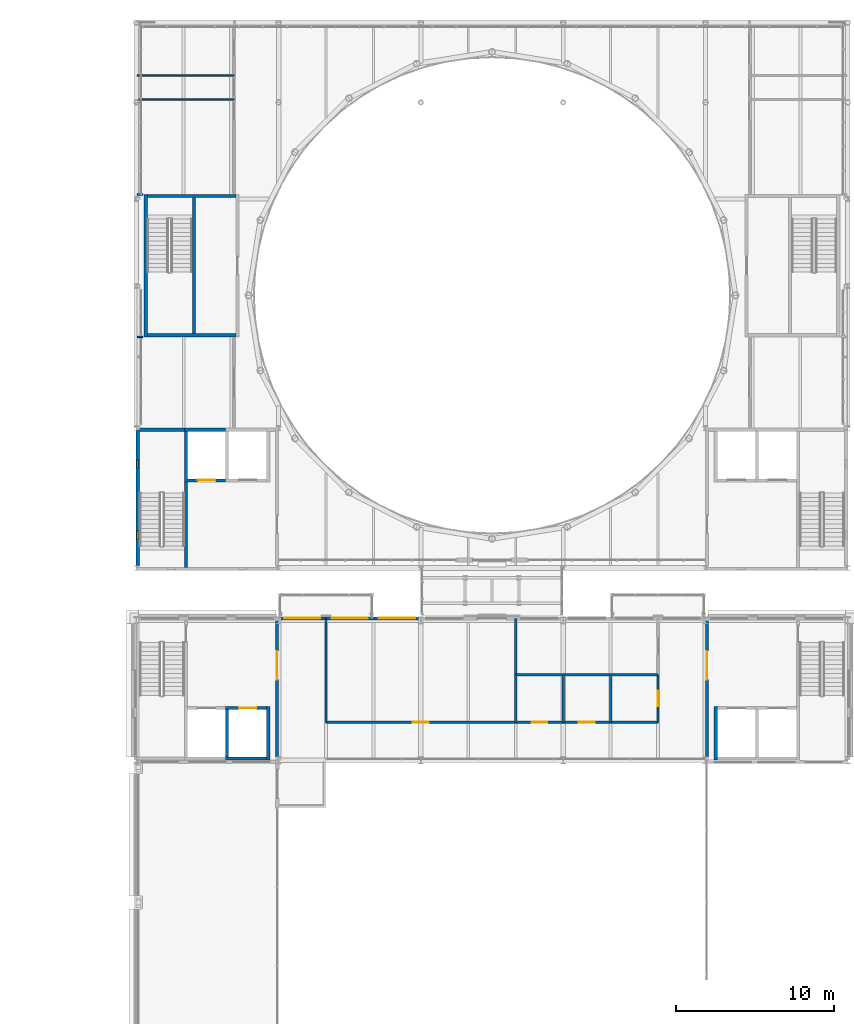
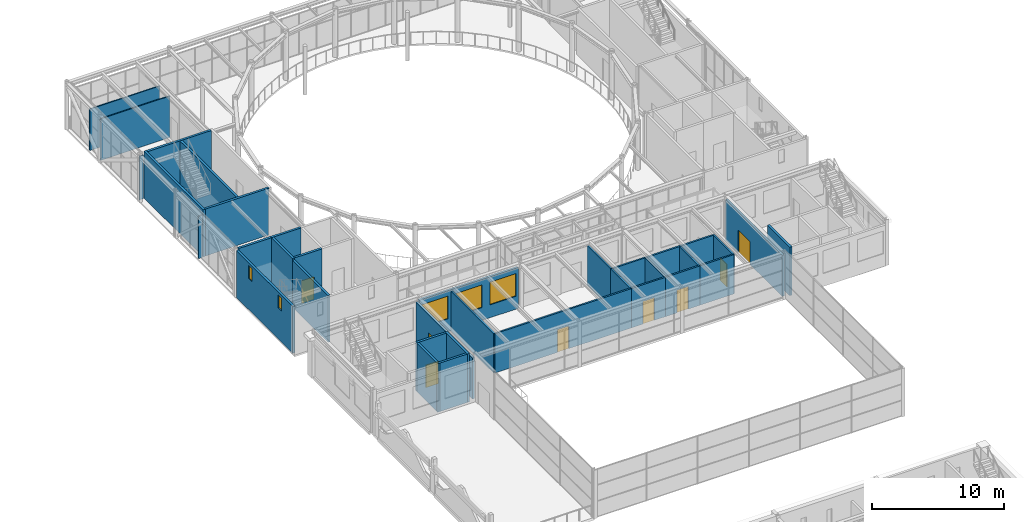
# One storey, part 52 of 70: 35 walls, 8 doors, 5 windows, 13 openings.
"""IFC4 building model written with IfcOpenShell, lengths in metres."""

from ifc_helpers import new_model, si_unit, direction, frame, frame_2d, origin, place, context, subcontext, project, spatial, rectangle, extrude, material, layer, layer_set, type_object, element, fill, save


model = new_model("IFC4")

# Units and contexts
model_context = context("Model", 3, precision=1e-05, world=origin(), true_north=direction((0.0, 1.0)))
body_context = subcontext(model_context, "Body", "Model", "MODEL_VIEW")
ifc_project = project(units=[si_unit("LENGTHUNIT", "METRE"), si_unit("AREAUNIT", "SQUARE_METRE"), si_unit("VOLUMEUNIT", "CUBIC_METRE"), si_unit("PLANEANGLEUNIT", "RADIAN"), si_unit("MASSUNIT", "GRAM", prefix="KILO")], contexts=[model_context])

# Site, building, storey
site_placement = place(None, origin())
site = spatial("IfcSite", under=ifc_project, at=site_placement, CompositionType="ELEMENT")
building_placement = place(site_placement, origin())
building = spatial("IfcBuilding", under=site, at=building_placement, Name="Kallimachos Central Library", CompositionType="ELEMENT")
storey_placement = place(building_placement, frame((0.0, 0.0, 18.89990234375)))
storey = spatial("IfcBuildingStorey", under=building, at=storey_placement, Name="L04", CompositionType="ELEMENT", Elevation=18.89990234375)

# Walls
ifc_material_1 = material(Name="Concrete C30/37", Category="concrete")
ifc_layer_1 = layer(ifc_material_1, 0.199951171875)
ifc_layer_set_1 = layer_set([ifc_layer_1], Name="Core wall 200")
wall_type_1 = type_object("IfcWallType", Name="Core wall 200", PredefinedType="SOLIDWALL", material=ifc_layer_set_1)
wall_1_placement = place(storey_placement, frame((65.699951171875, 95.89990234375, 0.0), z_axis=(0.0, 0.0, 1.0), x_axis=(1.0, 0.0, 0.0)))
element("IfcWall", 1, at=wall_1_placement, inside=storey, type_object=wall_type_1, Name="Core wall V1-SW N", PredefinedType="SOLIDWALL", context=body_context, shape_type="SweptSolid", body=[
    extrude(rectangle(XDim=2.85009765625, YDim=0.199951171875, at=frame_2d((1.425048828125, 0.0))), origin(), (0.0, 0.0, 1.0), 4.5),
])
wall_2_placement = place(storey_placement, frame((68.64990234375, 87.199951171875, 0.0), z_axis=(0.0, 0.0, 1.0), x_axis=(0.0, 1.0, 0.0)))
element("IfcWall", 2, at=wall_2_placement, inside=storey, type_object=wall_type_1, Name="Stair wall V1-SW", PredefinedType="SOLIDWALL", context=body_context, shape_type="SweptSolid", body=[
    extrude(rectangle(XDim=5.400146484375, YDim=0.199951171875, at=frame_2d((2.7001953125, 0.0))), origin(), (0.0, 0.0, 1.0), 4.35009765625),
])
wall_3_placement = place(storey_placement, frame((66.10009765625, 101.77490234375, 0.0), z_axis=(0.0, 0.0, 1.0), x_axis=(0.0, 1.0, 0.0)))
element("IfcWall", 3, at=wall_3_placement, inside=storey, type_object=wall_type_1, Name="Core wall V1-NW W", PredefinedType="SOLIDWALL", context=body_context, shape_type="SweptSolid", body=[
    extrude(rectangle(XDim=9.0, YDim=0.199951171875, at=frame_2d((4.5, 0.0))), origin(), (0.0, 0.0, 1.0), 4.35009765625),
])
for number, where, z_axis, x_axis, name in (
    (4, (66.199951171875, 101.875, 0.0), (0.0, 0.0, 1.0), (1.0, 0.0, 0.0), "Core wall V1-NW S"),
    (5, (66.199951171875, 110.675048828125, 0.0), (0.0, 0.0, 1.0), (1.0, 0.0, 0.0), "Core wall V1-NW N"),
):
    element("IfcWall", number, at=place(storey_placement, frame(where, z_axis=z_axis, x_axis=x_axis)), inside=storey, type_object=wall_type_1, Name=name, PredefinedType="SOLIDWALL", context=body_context, shape_type="SweptSolid", body=[
        extrude(rectangle(XDim=5.60009765625, YDim=0.199951171875, at=frame_2d((2.800048828125, 0.0))), origin(), (0.0, 0.0, 1.0), 4.35009765625),
    ])
wall_4_placement = place(storey_placement, frame((69.14990234375, 101.97509765625, 0.0), z_axis=(0.0, 0.0, 1.0), x_axis=(0.0, 1.0, 0.0)))
element("IfcWall", 6, at=wall_4_placement, inside=storey, type_object=wall_type_1, Name="Stair wall V1-NW", PredefinedType="SOLIDWALL", context=body_context, shape_type="SweptSolid", body=[
    extrude(rectangle(XDim=8.599853515625, YDim=0.199951171875, at=frame_2d((4.2998046875, 0.0))), origin(), (0.0, 0.0, 1.0), 4.35009765625),
])
ifc_material_2 = material(Name="Concrete C30/37", Category="concrete")
ifc_layer_2 = layer(ifc_material_2, 0.199951171875)
ifc_layer_set_2 = layer_set([ifc_layer_2], Name="Lift shaft wall 200")
wall_type_2 = type_object("IfcWallType", Name="Lift shaft wall 200", PredefinedType="SOLIDWALL", material=ifc_layer_set_2)
wall_5_placement = place(storey_placement, frame((71.25, 75.0, 0.0), z_axis=(0.0, 0.0, 1.0), x_axis=(0.0, 1.0, 0.0)))
element("IfcWall", 7, at=wall_5_placement, inside=storey, type_object=wall_type_2, Name="V4-WAL-L04-004", PredefinedType="SOLIDWALL", context=body_context, shape_type="SweptSolid", body=[
    extrude(rectangle(XDim=3.39990234375, YDim=0.199951171875, at=frame_2d((1.699951171875, 0.0))), origin(), (0.0, 0.0, 1.0), 4.5),
])

# Wall, opening, door
wall_6_placement = place(storey_placement, frame((71.14990234375, 78.300048828125, 0.0), z_axis=(0.0, 0.0, 1.0), x_axis=(1.0, 0.0, 0.0)))
wall_6 = element("IfcWall", 8, at=wall_6_placement, inside=storey, type_object=wall_type_2, Name="V4-WAL-L04-005", PredefinedType="SOLIDWALL", context=body_context, shape_type="SweptSolid", body=[
    extrude(rectangle(XDim=2.60009765625, YDim=0.199951171875, at=frame_2d((1.300048828125, 0.0))), origin(), (0.0, 0.0, 1.0), 4.5),
])
opening_1_placement = place(wall_6_placement, frame((0.85009765625, 0.0, 0.0)))
opening_1 = element("IfcOpeningElement", 9, at=opening_1_placement, cuts=wall_6, Name="Opening LD1100", PredefinedType="OPENING", context=body_context, shape_type="SweptSolid", body=[
    extrude(rectangle(XDim=1.10009765625, YDim=2.10009765625, at=frame_2d((0.550048828125, 1.050048828125))), frame((0.0, 0.10986328125, 0.0), z_axis=(0.0, -1.0, 0.0), x_axis=(1.0, 0.0, 0.0)), (0.0, 0.0, 1.0), 0.219970703125),
])
ifc_material_3 = material(Name="Stainless steel", Category="steel")
door_type_1 = type_object("IfcDoorType", Name="Lift landing door 1100 x 2100", OperationType="SLIDING_TO_LEFT", PredefinedType="DOOR", material=ifc_material_3)
door_1_placement = place(opening_1_placement, origin())
door_1 = element("IfcDoor", 10, at=door_1_placement, inside=storey, type_object=door_type_1, Name="LF8 landing door L04", OperationType="SLIDING_TO_LEFT", OverallHeight=2.10009765625, OverallWidth=1.10009765625, PredefinedType="DOOR", context=body_context, shape_type="SweptSolid", body=[
    extrude(rectangle(XDim=1.10009765625, YDim=2.10009765625, at=frame_2d((0.550048828125, 1.050048828125))), frame((0.0, 0.02490234375, 0.0), z_axis=(0.0, -1.0, 0.0), x_axis=(1.0, 0.0, 0.0)), (0.0, 0.0, 1.0), 0.050048828125),
])
fill(opening_1, door_1)

# Walls
wall_7_placement = place(storey_placement, frame((71.14990234375, 75.10009765625, 0.0), z_axis=(0.0, 0.0, 1.0), x_axis=(1.0, 0.0, 0.0)))
element("IfcWall", 11, at=wall_7_placement, inside=storey, type_object=wall_type_2, Name="V4-WAL-L04-006", PredefinedType="SOLIDWALL", context=body_context, shape_type="SweptSolid", body=[
    extrude(rectangle(XDim=2.60009765625, YDim=0.199951171875, at=frame_2d((1.300048828125, 0.0))), origin(), (0.0, 0.0, 1.0), 4.5),
])
for number, where, z_axis, x_axis, name in (
    (12, (73.85009765625, 75.0, 0.0), (0.0, 0.0, 1.0), (0.0, 1.0, 0.0), "V4-WAL-L04-007"),
    (13, (102.14990234375, 75.0, 0.0), (0.0, 0.0, 1.0), (0.0, 1.0, 0.0), "V4-WAL-L04-014"),
):
    element("IfcWall", number, at=place(storey_placement, frame(where, z_axis=z_axis, x_axis=x_axis)), inside=storey, type_object=wall_type_2, Name=name, PredefinedType="SOLIDWALL", context=body_context, shape_type="SweptSolid", body=[
        extrude(rectangle(XDim=3.39990234375, YDim=0.199951171875, at=frame_2d((1.699951171875, 0.0))), origin(), (0.0, 0.0, 1.0), 4.5),
    ])
wall_8_placement = place(storey_placement, frame((68.550048828125, 95.89990234375, 0.0), z_axis=(0.0, 0.0, 1.0), x_axis=(1.0, 0.0, 0.0)))
element("IfcWall", 14, at=wall_8_placement, inside=storey, type_object=wall_type_2, Name="V1-WAL-L04-001", PredefinedType="SOLIDWALL", context=body_context, shape_type="SweptSolid", body=[
    extrude(rectangle(XDim=2.599853515625, YDim=0.199951171875, at=frame_2d((1.2998046875, 0.0))), origin(), (0.0, 0.0, 1.0), 4.5),
])

# Wall, opening, door
wall_9_placement = place(storey_placement, frame((68.75, 92.699951171875, 0.0), z_axis=(0.0, 0.0, 1.0), x_axis=(1.0, 0.0, 0.0)))
wall_9 = element("IfcWall", 15, at=wall_9_placement, inside=storey, type_object=wall_type_2, Name="V1-WAL-L04-002", PredefinedType="SOLIDWALL", context=body_context, shape_type="SweptSolid", body=[
    extrude(rectangle(XDim=2.39990234375, YDim=0.199951171875, at=frame_2d((1.199951171875, 0.0))), origin(), (0.0, 0.0, 1.0), 4.5),
])
opening_2_placement = place(wall_9_placement, frame((0.64990234375, 0.0, 0.0)))
opening_2 = element("IfcOpeningElement", 16, at=opening_2_placement, cuts=wall_9, Name="Opening LD1100", PredefinedType="OPENING", context=body_context, shape_type="SweptSolid", body=[
    extrude(rectangle(XDim=1.10009765625, YDim=2.10009765625, at=frame_2d((0.550048828125, 1.050048828125))), frame((0.0, 0.10986328125, 0.0), z_axis=(0.0, -1.0, 0.0), x_axis=(1.0, 0.0, 0.0)), (0.0, 0.0, 1.0), 0.219970703125),
])
door_2_placement = place(opening_2_placement, origin())
door_2 = element("IfcDoor", 17, at=door_2_placement, inside=storey, type_object=door_type_1, Name="LF1 landing door L04", OperationType="SLIDING_TO_LEFT", OverallHeight=2.10009765625, OverallWidth=1.10009765625, PredefinedType="DOOR", context=body_context, shape_type="SweptSolid", body=[
    extrude(rectangle(XDim=1.10009765625, YDim=2.10009765625, at=frame_2d((0.550048828125, 1.050048828125))), frame((0.0, 0.02490234375, 0.0), z_axis=(0.0, -1.0, 0.0), x_axis=(1.0, 0.0, 0.0)), (0.0, 0.0, 1.0), 0.050048828125),
])
fill(opening_2, door_2)

# Walls
wall_10_placement = place(storey_placement, frame((68.64990234375, 92.60009765625, 0.0), z_axis=(0.0, 0.0, 1.0), x_axis=(0.0, 1.0, 0.0)))
element("IfcWall", 18, at=wall_10_placement, inside=storey, type_object=wall_type_2, Name="V1-WAL-L04-003", PredefinedType="SOLIDWALL", context=body_context, shape_type="SweptSolid", body=[
    extrude(rectangle(XDim=3.39990234375, YDim=0.199951171875, at=frame_2d((1.699951171875, 0.0))), origin(), (0.0, 0.0, 1.0), 4.5),
])
ifc_material_4 = material(Name="Plasterboard on steel studs", Category="steel")
ifc_layer_3 = layer(ifc_material_4, 0.10009765625)
ifc_layer_set_3 = layer_set([ifc_layer_3], Name="Partition 100")
wall_type_3 = type_object("IfcWallType", Name="Partition 100", PredefinedType="PARTITIONING", material=ifc_layer_set_3)
wall_11_placement = place(storey_placement, frame((65.580078125, 101.77490234375, 0.0), z_axis=(0.0, 0.0, 1.0), x_axis=(1.0, 0.0, 0.0)))
element("IfcWall", 19, at=wall_11_placement, inside=storey, type_object=wall_type_3, Name="Partition", PredefinedType="PARTITIONING", context=body_context, shape_type="SweptSolid", body=[
    extrude(rectangle(XDim=0.33984375, YDim=0.10009765625, at=frame_2d((0.169921875, 0.0))), origin(), (0.0, 0.0, 1.0), 3.91015625),
])
wall_12_placement = place(storey_placement, frame((65.661865234375, 116.780517578125, 0.0), z_axis=(0.0, 0.0, 1.0), x_axis=(1.0, 0.0, 0.0)))
element("IfcWall", 20, at=wall_12_placement, inside=storey, type_object=wall_type_3, Name="Partition", PredefinedType="PARTITIONING", context=body_context, shape_type="SweptSolid", body=[
    extrude(rectangle(XDim=6.05810546875, YDim=0.10009765625, at=frame_2d((3.029052734375, 0.0))), origin(), (0.0, 0.0, 1.0), 3.85009765625),
])
wall_13_placement = place(storey_placement, frame((65.919921875, 110.77490234375, 0.0), z_axis=(0.0, 0.0, 1.0), x_axis=(-1.0, 0.0, 0.0)))
element("IfcWall", 21, at=wall_13_placement, inside=storey, type_object=wall_type_3, Name="Partition", PredefinedType="PARTITIONING", context=body_context, shape_type="SweptSolid", body=[
    extrude(rectangle(XDim=0.33984375, YDim=0.10009765625, at=frame_2d((0.169921875, 0.0))), origin(), (0.0, 0.0, 1.0), 4.0400390625),
])
wall_14_placement = place(storey_placement, frame((65.580078125, 118.313720703125, 0.0), z_axis=(0.0, 0.0, 1.0), x_axis=(1.0, 0.0, 0.0)))
element("IfcWall", 22, at=wall_14_placement, inside=storey, type_object=wall_type_3, Name="Partition", PredefinedType="PARTITIONING", context=body_context, shape_type="SweptSolid", body=[
    extrude(rectangle(XDim=6.139892578125, YDim=0.10009765625, at=frame_2d((3.06982421875, 0.0))), origin(), (0.0, 0.0, 1.0), 3.85009765625),
])
ifc_material_5 = material(Name="Gypsum board on steel studs", Category="steel")
ifc_layer_4 = layer(ifc_material_5, 0.14990234375)
ifc_layer_set_4 = layer_set([ifc_layer_4], Name="Partition wall 150")
wall_type_4 = type_object("IfcWallType", Name="Partition wall 150", PredefinedType="PARTITIONING", material=ifc_layer_set_4)
wall_15_placement = place(storey_placement, frame((89.5, 77.39990234375, 0.0), z_axis=(0.0, 0.0, 1.0), x_axis=(0.0, 1.0, 0.0)))
element("IfcWall", 23, at=wall_15_placement, inside=storey, type_object=wall_type_4, Name="L04 partition", PredefinedType="PARTITIONING", context=body_context, shape_type="SweptSolid", body=[
    extrude(rectangle(XDim=3.0, YDim=0.14990234375, at=frame_2d((1.5, 0.0))), origin(), (0.0, 0.0, 1.0), 3.650146484375),
])
wall_16_placement = place(storey_placement, frame((89.5, 80.39990234375, 0.0), z_axis=(0.0, 0.0, 1.0), x_axis=(0.0, 1.0, 0.0)))
element("IfcWall", 24, at=wall_16_placement, inside=storey, type_object=wall_type_4, Name="L04 partition", PredefinedType="PARTITIONING", context=body_context, shape_type="SweptSolid", body=[
    extrude(rectangle(XDim=3.550048828125, YDim=0.14990234375, at=frame_2d((1.77490234375, 0.0))), origin(), (0.0, 0.0, 1.0), 3.650146484375),
])
wall_17_placement = place(storey_placement, frame((77.5, 77.39990234375, 0.0), z_axis=(0.0, 0.0, 1.0), x_axis=(0.0, 1.0, 0.0)))
element("IfcWall", 25, at=wall_17_placement, inside=storey, type_object=wall_type_4, Name="L04 partition", PredefinedType="PARTITIONING", context=body_context, shape_type="SweptSolid", body=[
    extrude(rectangle(XDim=6.550048828125, YDim=0.14990234375, at=frame_2d((3.27490234375, 0.0))), origin(), (0.0, 0.0, 1.0), 3.650146484375),
])

# Wall, opening, door
wall_18_placement = place(storey_placement, frame((77.5, 77.39990234375, 0.0), z_axis=(0.0, 0.0, 1.0), x_axis=(1.0, 0.0, 0.0)))
wall_18 = element("IfcWall", 26, at=wall_18_placement, inside=storey, type_object=wall_type_4, Name="L04 partition", PredefinedType="PARTITIONING", context=body_context, shape_type="SweptSolid", body=[
    extrude(rectangle(XDim=12.0, YDim=0.14990234375, at=frame_2d((6.0, 0.0))), origin(), (0.0, 0.0, 1.0), 3.650146484375),
])
opening_3_placement = place(wall_18_placement, frame((5.5, 0.0, 0.0)))
opening_3 = element("IfcOpeningElement", 27, at=opening_3_placement, cuts=wall_18, Name="Opening D214", PredefinedType="OPENING", context=body_context, shape_type="SweptSolid", body=[
    extrude(rectangle(XDim=1.0, YDim=2.10009765625, at=frame_2d((0.5, 1.050048828125))), frame((0.0, 0.0849609375, 0.0), z_axis=(0.0, -1.0, 0.0), x_axis=(1.0, 0.0, 0.0)), (0.0, 0.0, 1.0), 0.169921875),
])
ifc_material_6 = material(Name="Timber", Category="wood")
door_type_2 = type_object("IfcDoorType", Name="Single leaf door 1000 x 2100, EI2 30", OperationType="NOTDEFINED", PredefinedType="DOOR", material=ifc_material_6)
door_3_placement = place(opening_3_placement, origin())
door_3 = element("IfcDoor", 28, at=door_3_placement, inside=storey, type_object=door_type_2, Name="L04 door Open Stacks Languages", OperationType="SINGLE_SWING_RIGHT", OverallHeight=2.10009765625, OverallWidth=1.0, PredefinedType="DOOR", context=body_context, shape_type="SweptSolid", body=[
    extrude(rectangle(XDim=1.0, YDim=2.10009765625, at=frame_2d((0.5, 1.050048828125))), frame((0.0, 0.02490234375, 0.0), z_axis=(0.0, -1.0, 0.0), x_axis=(1.0, 0.0, 0.0)), (0.0, 0.0, 1.0), 0.050048828125),
])
fill(opening_3, door_3)

# Walls
for number, where, z_axis, x_axis, name in (
    (29, (92.5, 77.39990234375, 0.0), (0.0, 0.0, 1.0), (0.0, 1.0, 0.0), "L04 partition"),
    (30, (89.5, 80.39990234375, 0.0), (0.0, 0.0, 1.0), (1.0, 0.0, 0.0), "L04 partition"),
):
    element("IfcWall", number, at=place(storey_placement, frame(where, z_axis=z_axis, x_axis=x_axis)), inside=storey, type_object=wall_type_4, Name=name, PredefinedType="PARTITIONING", context=body_context, shape_type="SweptSolid", body=[
        extrude(rectangle(XDim=3.0, YDim=0.14990234375, at=frame_2d((1.5, 0.0))), origin(), (0.0, 0.0, 1.0), 3.650146484375),
    ])

# Wall, opening, door
wall_19_placement = place(storey_placement, frame((89.5, 77.39990234375, 0.0), z_axis=(0.0, 0.0, 1.0), x_axis=(1.0, 0.0, 0.0)))
wall_19 = element("IfcWall", 31, at=wall_19_placement, inside=storey, type_object=wall_type_4, Name="L04 partition", PredefinedType="PARTITIONING", context=body_context, shape_type="SweptSolid", body=[
    extrude(rectangle(XDim=3.0, YDim=0.14990234375, at=frame_2d((1.5, 0.0))), origin(), (0.0, 0.0, 1.0), 3.650146484375),
])
opening_4_placement = place(wall_19_placement, frame((1.0, 0.0, 0.0)))
opening_4 = element("IfcOpeningElement", 32, at=opening_4_placement, cuts=wall_19, Name="Opening D215", PredefinedType="OPENING", context=body_context, shape_type="SweptSolid", body=[
    extrude(rectangle(XDim=1.0, YDim=2.10009765625, at=frame_2d((0.5, 1.050048828125))), frame((0.0, 0.0849609375, 0.0), z_axis=(0.0, -1.0, 0.0), x_axis=(1.0, 0.0, 0.0)), (0.0, 0.0, 1.0), 0.169921875),
])
door_4_placement = place(opening_4_placement, origin())
door_4 = element("IfcDoor", 33, at=door_4_placement, inside=storey, type_object=door_type_2, Name="L04 door Men's WC", OperationType="SINGLE_SWING_RIGHT", OverallHeight=2.10009765625, OverallWidth=1.0, PredefinedType="DOOR", context=body_context, shape_type="SweptSolid", body=[
    extrude(rectangle(XDim=1.0, YDim=2.10009765625, at=frame_2d((0.5, 1.050048828125))), frame((0.0, 0.02490234375, 0.0), z_axis=(0.0, -1.0, 0.0), x_axis=(1.0, 0.0, 0.0)), (0.0, 0.0, 1.0), 0.050048828125),
])
fill(opening_4, door_4)

# Walls
for number, where, z_axis, x_axis, name in (
    (34, (95.5, 77.39990234375, 0.0), (0.0, 0.0, 1.0), (0.0, 1.0, 0.0), "L04 partition"),
    (35, (92.5, 80.39990234375, 0.0), (0.0, 0.0, 1.0), (1.0, 0.0, 0.0), "L04 partition"),
):
    element("IfcWall", number, at=place(storey_placement, frame(where, z_axis=z_axis, x_axis=x_axis)), inside=storey, type_object=wall_type_4, Name=name, PredefinedType="PARTITIONING", context=body_context, shape_type="SweptSolid", body=[
        extrude(rectangle(XDim=3.0, YDim=0.14990234375, at=frame_2d((1.5, 0.0))), origin(), (0.0, 0.0, 1.0), 3.650146484375),
    ])

# Wall, opening, door
wall_20_placement = place(storey_placement, frame((92.5, 77.39990234375, 0.0), z_axis=(0.0, 0.0, 1.0), x_axis=(1.0, 0.0, 0.0)))
wall_20 = element("IfcWall", 36, at=wall_20_placement, inside=storey, type_object=wall_type_4, Name="L04 partition", PredefinedType="PARTITIONING", context=body_context, shape_type="SweptSolid", body=[
    extrude(rectangle(XDim=3.0, YDim=0.14990234375, at=frame_2d((1.5, 0.0))), origin(), (0.0, 0.0, 1.0), 3.650146484375),
])
opening_5_placement = place(wall_20_placement, frame((1.0, 0.0, 0.0)))
opening_5 = element("IfcOpeningElement", 37, at=opening_5_placement, cuts=wall_20, Name="Opening D216", PredefinedType="OPENING", context=body_context, shape_type="SweptSolid", body=[
    extrude(rectangle(XDim=1.0, YDim=2.10009765625, at=frame_2d((0.5, 1.050048828125))), frame((0.0, 0.0849609375, 0.0), z_axis=(0.0, -1.0, 0.0), x_axis=(1.0, 0.0, 0.0)), (0.0, 0.0, 1.0), 0.169921875),
])
door_5_placement = place(opening_5_placement, origin())
door_5 = element("IfcDoor", 38, at=door_5_placement, inside=storey, type_object=door_type_2, Name="L04 door Women's WC", OperationType="SINGLE_SWING_RIGHT", OverallHeight=2.10009765625, OverallWidth=1.0, PredefinedType="DOOR", context=body_context, shape_type="SweptSolid", body=[
    extrude(rectangle(XDim=1.0, YDim=2.10009765625, at=frame_2d((0.5, 1.050048828125))), frame((0.0, 0.02490234375, 0.0), z_axis=(0.0, -1.0, 0.0), x_axis=(1.0, 0.0, 0.0)), (0.0, 0.0, 1.0), 0.050048828125),
])
fill(opening_5, door_5)

wall_21_placement = place(storey_placement, frame((98.5, 77.39990234375, 0.0), z_axis=(0.0, 0.0, 1.0), x_axis=(0.0, 1.0, 0.0)))
wall_21 = element("IfcWall", 39, at=wall_21_placement, inside=storey, type_object=wall_type_4, Name="L04 partition", PredefinedType="PARTITIONING", context=body_context, shape_type="SweptSolid", body=[
    extrude(rectangle(XDim=3.0, YDim=0.14990234375, at=frame_2d((1.5, 0.0))), origin(), (0.0, 0.0, 1.0), 3.650146484375),
])
opening_6_placement = place(wall_21_placement, frame((1.0, 0.0, 0.0)))
opening_6 = element("IfcOpeningElement", 40, at=opening_6_placement, cuts=wall_21, Name="Opening D217", PredefinedType="OPENING", context=body_context, shape_type="SweptSolid", body=[
    extrude(rectangle(XDim=1.0, YDim=2.10009765625, at=frame_2d((0.5, 1.050048828125))), frame((0.0, 0.0849609375, 0.0), z_axis=(0.0, -1.0, 0.0), x_axis=(1.0, 0.0, 0.0)), (0.0, 0.0, 1.0), 0.169921875),
])
door_6_placement = place(opening_6_placement, origin())
door_6 = element("IfcDoor", 41, at=door_6_placement, inside=storey, type_object=door_type_2, Name="L04 door Accessible WC", OperationType="SINGLE_SWING_RIGHT", OverallHeight=2.10009765625, OverallWidth=1.0, PredefinedType="DOOR", context=body_context, shape_type="SweptSolid", body=[
    extrude(rectangle(XDim=1.0, YDim=2.10009765625, at=frame_2d((0.5, 1.050048828125))), frame((0.0, 0.02490234375, 0.0), z_axis=(0.0, -1.0, 0.0), x_axis=(1.0, 0.0, 0.0)), (0.0, 0.0, 1.0), 0.050048828125),
])
fill(opening_6, door_6)

# Walls
for number, where, z_axis, x_axis, name in (
    (42, (95.5, 80.39990234375, 0.0), (0.0, 0.0, 1.0), (1.0, 0.0, 0.0), "L04 partition"),
    (43, (95.5, 77.39990234375, 0.0), (0.0, 0.0, 1.0), (1.0, 0.0, 0.0), "L04 partition"),
):
    element("IfcWall", number, at=place(storey_placement, frame(where, z_axis=z_axis, x_axis=x_axis)), inside=storey, type_object=wall_type_4, Name=name, PredefinedType="PARTITIONING", context=body_context, shape_type="SweptSolid", body=[
        extrude(rectangle(XDim=3.0, YDim=0.14990234375, at=frame_2d((1.5, 0.0))), origin(), (0.0, 0.0, 1.0), 3.650146484375),
    ])

# Wall, opening, door
ifc_material_7 = material(Name="Concrete C35/45", Category="concrete")
ifc_layer_5 = layer(ifc_material_7, 0.199951171875)
ifc_layer_set_5 = layer_set([ifc_layer_5], Name="Shear core wall 200, internal")
wall_type_5 = type_object("IfcWallType", Name="Shear core wall 200, internal", PredefinedType="SHEAR", material=ifc_layer_set_5)
wall_22_placement = place(storey_placement, frame((74.39990234375, 75.199951171875, 0.0), z_axis=(0.0, 0.0, 1.0), x_axis=(0.0, 1.0, 0.0)))
wall_22 = element("IfcWall", 44, at=wall_22_placement, inside=storey, type_object=wall_type_5, Name="L04 core wall V4-NW E", PredefinedType="SHEAR", context=body_context, shape_type="SweptSolid", body=[
    extrude(rectangle(XDim=8.60009765625, YDim=0.199951171875, at=frame_2d((4.300048828125, 0.0))), origin(), (0.0, 0.0, 1.0), 3.800048828125),
])
opening_7_placement = place(wall_22_placement, frame((4.89990234375, 0.0, 0.0)))
opening_7 = element("IfcOpeningElement", 45, at=opening_7_placement, cuts=wall_22, Name="Opening D150", PredefinedType="OPENING", context=body_context, shape_type="SweptSolid", body=[
    extrude(rectangle(XDim=1.800048828125, YDim=2.10009765625, at=frame_2d((0.89990234375, 1.050048828125))), frame((0.0, 0.10986328125, 0.0), z_axis=(0.0, -1.0, 0.0), x_axis=(1.0, 0.0, 0.0)), (0.0, 0.0, 1.0), 0.219970703125),
])
ifc_material_8 = material(Name="Timber and glass", Category="wood")
door_type_3 = type_object("IfcDoorType", Name="Double leaf door 1800 x 2100, EI2 90", OperationType="DOUBLE_DOOR_SINGLE_SWING", PredefinedType="DOOR", material=ifc_material_8)
door_7_placement = place(opening_7_placement, origin())
door_7 = element("IfcDoor", 46, at=door_7_placement, inside=storey, type_object=door_type_3, Name="L04 core door V4-NW", OperationType="DOUBLE_DOOR_SINGLE_SWING", OverallHeight=2.10009765625, OverallWidth=1.800048828125, PredefinedType="DOOR", context=body_context, shape_type="SweptSolid", body=[
    extrude(rectangle(XDim=1.800048828125, YDim=2.10009765625, at=frame_2d((0.89990234375, 1.050048828125))), frame((0.0, 0.02490234375, 0.0), z_axis=(0.0, -1.0, 0.0), x_axis=(1.0, 0.0, 0.0)), (0.0, 0.0, 1.0), 0.050048828125),
])
fill(opening_7, door_7)

wall_23_placement = place(storey_placement, frame((101.60009765625, 75.199951171875, 0.0), z_axis=(0.0, 0.0, 1.0), x_axis=(0.0, 1.0, 0.0)))
wall_23 = element("IfcWall", 47, at=wall_23_placement, inside=storey, type_object=wall_type_5, Name="L04 core wall V4-NE E", PredefinedType="SHEAR", context=body_context, shape_type="SweptSolid", body=[
    extrude(rectangle(XDim=8.60009765625, YDim=0.199951171875, at=frame_2d((4.300048828125, 0.0))), origin(), (0.0, 0.0, 1.0), 3.800048828125),
])
opening_8_placement = place(wall_23_placement, frame((4.89990234375, 0.0, 0.0)))
opening_8 = element("IfcOpeningElement", 48, at=opening_8_placement, cuts=wall_23, Name="Opening D161", PredefinedType="OPENING", context=body_context, shape_type="SweptSolid", body=[
    extrude(rectangle(XDim=1.800048828125, YDim=2.10009765625, at=frame_2d((0.89990234375, 1.050048828125))), frame((0.0, 0.10986328125, 0.0), z_axis=(0.0, -1.0, 0.0), x_axis=(1.0, 0.0, 0.0)), (0.0, 0.0, 1.0), 0.219970703125),
])
door_8_placement = place(opening_8_placement, origin())
door_8 = element("IfcDoor", 49, at=door_8_placement, inside=storey, type_object=door_type_3, Name="L04 core door V4-NE", OperationType="DOUBLE_DOOR_SINGLE_SWING", OverallHeight=2.10009765625, OverallWidth=1.800048828125, PredefinedType="DOOR", context=body_context, shape_type="SweptSolid", body=[
    extrude(rectangle(XDim=1.800048828125, YDim=2.10009765625, at=frame_2d((0.89990234375, 1.050048828125))), frame((0.0, 0.02490234375, 0.0), z_axis=(0.0, -1.0, 0.0), x_axis=(1.0, 0.0, 0.0)), (0.0, 0.0, 1.0), 0.050048828125),
])
fill(opening_8, door_8)

# Wall, openings, windows
ifc_material_9 = material(Name="Concrete C30/37", Category="concrete")
ifc_layer_6 = layer(ifc_material_9, 0.199951171875)
ifc_layer_set_6 = layer_set([ifc_layer_6], Name="Stone-clad core wall 200")
wall_type_6 = type_object("IfcWallType", Name="Stone-clad core wall 200", PredefinedType="SOLIDWALL", material=ifc_layer_set_6)
wall_24_placement = place(storey_placement, frame((65.60009765625, 87.2900390625, 0.0), z_axis=(0.0, 0.0, 1.0), x_axis=(0.0, 1.0, 0.0)))
wall_24 = element("IfcWall", 50, at=wall_24_placement, inside=storey, type_object=wall_type_6, Name="Core wall V1-SW W", PredefinedType="SOLIDWALL", context=body_context, shape_type="SweptSolid", body=[
    extrude(rectangle(XDim=8.570068359375, YDim=0.199951171875, at=frame_2d((4.28515625, 0.0))), origin(), (0.0, 0.0, 1.0), 4.35009765625),
])
opening_9_placement = place(wall_24_placement, frame((1.7099609375, 0.0, 2.89990234375)))
opening_9 = element("IfcOpeningElement", 51, at=opening_9_placement, cuts=wall_24, Name="Opening W108", PredefinedType="OPENING", context=body_context, shape_type="SweptSolid", body=[
    extrude(rectangle(XDim=0.5, YDim=1.199951171875, at=frame_2d((0.25, 0.60009765625))), frame((0.0, 0.10986328125, 0.0), z_axis=(0.0, -1.0, 0.0), x_axis=(1.0, 0.0, 0.0)), (0.0, 0.0, 1.0), 0.219970703125),
])
opening_10_placement = place(wall_24_placement, frame((6.2099609375, 0.0, 2.89990234375)))
opening_10 = element("IfcOpeningElement", 52, at=opening_10_placement, cuts=wall_24, Name="Opening W109", PredefinedType="OPENING", context=body_context, shape_type="SweptSolid", body=[
    extrude(rectangle(XDim=0.5, YDim=1.199951171875, at=frame_2d((0.25, 0.60009765625))), frame((0.0, 0.10986328125, 0.0), z_axis=(0.0, -1.0, 0.0), x_axis=(1.0, 0.0, 0.0)), (0.0, 0.0, 1.0), 0.219970703125),
])
ifc_material_10 = material(Name="Laminated glass in bronze-anodised aluminium frame", Category="aluminium")
window_type_1 = type_object("IfcWindowType", Name="Stair slot window 500x1200", PartitioningType="SINGLE_PANEL", PredefinedType="WINDOW", material=ifc_material_10)
window_1_placement = place(opening_9_placement, origin())
window_1 = element("IfcWindow", 53, at=window_1_placement, inside=storey, type_object=window_type_1, Name="V1-WIN-L04-001", OverallHeight=1.199951171875, OverallWidth=0.5, PartitioningType="SINGLE_PANEL", PredefinedType="WINDOW", context=body_context, shape_type="SweptSolid", body=[
    extrude(rectangle(XDim=0.5, YDim=1.199951171875, at=frame_2d((0.25, 0.60009765625))), frame((0.0, 0.030029296875, 0.0), z_axis=(0.0, -1.0, 0.0), x_axis=(1.0, 0.0, 0.0)), (0.0, 0.0, 1.0), 0.06005859375),
])
fill(opening_9, window_1)
window_2_placement = place(opening_10_placement, origin())
window_2 = element("IfcWindow", 54, at=window_2_placement, inside=storey, type_object=window_type_1, Name="V1-WIN-L04-002", OverallHeight=1.199951171875, OverallWidth=0.5, PartitioningType="SINGLE_PANEL", PredefinedType="WINDOW", context=body_context, shape_type="SweptSolid", body=[
    extrude(rectangle(XDim=0.5, YDim=1.199951171875, at=frame_2d((0.25, 0.60009765625))), frame((0.0, 0.030029296875, 0.0), z_axis=(0.0, -1.0, 0.0), x_axis=(1.0, 0.0, 0.0)), (0.0, 0.0, 1.0), 0.06005859375),
])
fill(opening_10, window_2)

ifc_material_11 = material(Name="Brick masonry with Pentelic marble cladding", Category="masonry")
ifc_layer_7 = layer(ifc_material_11, 0.199951171875)
ifc_layer_set_7 = layer_set([ifc_layer_7], Name="Stone-clad masonry wall 200")
wall_type_7 = type_object("IfcWallType", Name="Stone-clad masonry wall 200", PredefinedType="SOLIDWALL", material=ifc_layer_set_7)
wall_25_placement = place(storey_placement, frame((74.653564453125, 83.966064453125, 0.0), z_axis=(0.0, 0.0, 1.0), x_axis=(1.0, 0.0, 0.0)))
wall_25 = element("IfcWall", 55, at=wall_25_placement, inside=storey, type_object=wall_type_7, Name="V4-WAL-L04-016", PredefinedType="SOLIDWALL", context=body_context, shape_type="SweptSolid", body=[
    extrude(rectangle(XDim=8.69287109375, YDim=0.199951171875, at=frame_2d((4.346435546875, 0.0))), origin(), (0.0, 0.0, 1.0), 3.800048828125),
])
opening_11_placement = place(wall_25_placement, frame((0.196533203125, 0.0, 1.199951171875)))
opening_11 = element("IfcOpeningElement", 56, at=opening_11_placement, cuts=wall_25, Name="Opening WN162", PredefinedType="OPENING", context=body_context, shape_type="SweptSolid", body=[
    extrude(rectangle(XDim=2.300048828125, YDim=2.10009765625, at=frame_2d((1.14990234375, 1.050048828125))), frame((0.0, 0.10986328125, 0.0), z_axis=(0.0, -1.0, 0.0), x_axis=(1.0, 0.0, 0.0)), (0.0, 0.0, 1.0), 0.219970703125),
])
opening_12_placement = place(wall_25_placement, frame((3.196533203125, 0.0, 1.199951171875)))
opening_12 = element("IfcOpeningElement", 57, at=opening_12_placement, cuts=wall_25, Name="Opening WN162", PredefinedType="OPENING", context=body_context, shape_type="SweptSolid", body=[
    extrude(rectangle(XDim=2.300048828125, YDim=2.10009765625, at=frame_2d((1.14990234375, 1.050048828125))), frame((0.0, 0.10986328125, 0.0), z_axis=(0.0, -1.0, 0.0), x_axis=(1.0, 0.0, 0.0)), (0.0, 0.0, 1.0), 0.219970703125),
])
opening_13_placement = place(wall_25_placement, frame((6.196533203125, 0.0, 1.199951171875)))
opening_13 = element("IfcOpeningElement", 58, at=opening_13_placement, cuts=wall_25, Name="Opening WN162", PredefinedType="OPENING", context=body_context, shape_type="SweptSolid", body=[
    extrude(rectangle(XDim=2.300048828125, YDim=2.10009765625, at=frame_2d((1.14990234375, 1.050048828125))), frame((0.0, 0.10986328125, 0.0), z_axis=(0.0, -1.0, 0.0), x_axis=(1.0, 0.0, 0.0)), (0.0, 0.0, 1.0), 0.219970703125),
])
ifc_material_12 = material(Name="Anodised aluminium and laminated glass", Category="aluminium")
window_type_2 = type_object("IfcWindowType", Name="Window 2300 x 2100", PartitioningType="DOUBLE_PANEL_VERTICAL", PredefinedType="WINDOW", material=ifc_material_12)
window_3_placement = place(opening_11_placement, origin())
window_3 = element("IfcWindow", 59, at=window_3_placement, inside=storey, type_object=window_type_2, Name="V4-WIN-L04-004", OverallHeight=2.10009765625, OverallWidth=2.300048828125, PartitioningType="SINGLE_PANEL", PredefinedType="WINDOW", context=body_context, shape_type="SweptSolid", body=[
    extrude(rectangle(XDim=2.300048828125, YDim=2.10009765625, at=frame_2d((1.14990234375, 1.050048828125))), frame((0.0, 0.030029296875, 0.0), z_axis=(0.0, -1.0, 0.0), x_axis=(1.0, 0.0, 0.0)), (0.0, 0.0, 1.0), 0.06005859375),
])
fill(opening_11, window_3)
window_4_placement = place(opening_12_placement, origin())
window_4 = element("IfcWindow", 60, at=window_4_placement, inside=storey, type_object=window_type_2, Name="V4-WIN-L04-005", OverallHeight=2.10009765625, OverallWidth=2.300048828125, PartitioningType="SINGLE_PANEL", PredefinedType="WINDOW", context=body_context, shape_type="SweptSolid", body=[
    extrude(rectangle(XDim=2.300048828125, YDim=2.10009765625, at=frame_2d((1.14990234375, 1.050048828125))), frame((0.0, 0.030029296875, 0.0), z_axis=(0.0, -1.0, 0.0), x_axis=(1.0, 0.0, 0.0)), (0.0, 0.0, 1.0), 0.06005859375),
])
fill(opening_12, window_4)
window_5_placement = place(opening_13_placement, origin())
window_5 = element("IfcWindow", 61, at=window_5_placement, inside=storey, type_object=window_type_2, Name="V4-WIN-L04-006", OverallHeight=2.10009765625, OverallWidth=2.300048828125, PartitioningType="SINGLE_PANEL", PredefinedType="WINDOW", context=body_context, shape_type="SweptSolid", body=[
    extrude(rectangle(XDim=2.300048828125, YDim=2.10009765625, at=frame_2d((1.14990234375, 1.050048828125))), frame((0.0, 0.030029296875, 0.0), z_axis=(0.0, -1.0, 0.0), x_axis=(1.0, 0.0, 0.0)), (0.0, 0.0, 1.0), 0.06005859375),
])
fill(opening_13, window_5)

save(model, "model.ifc")
